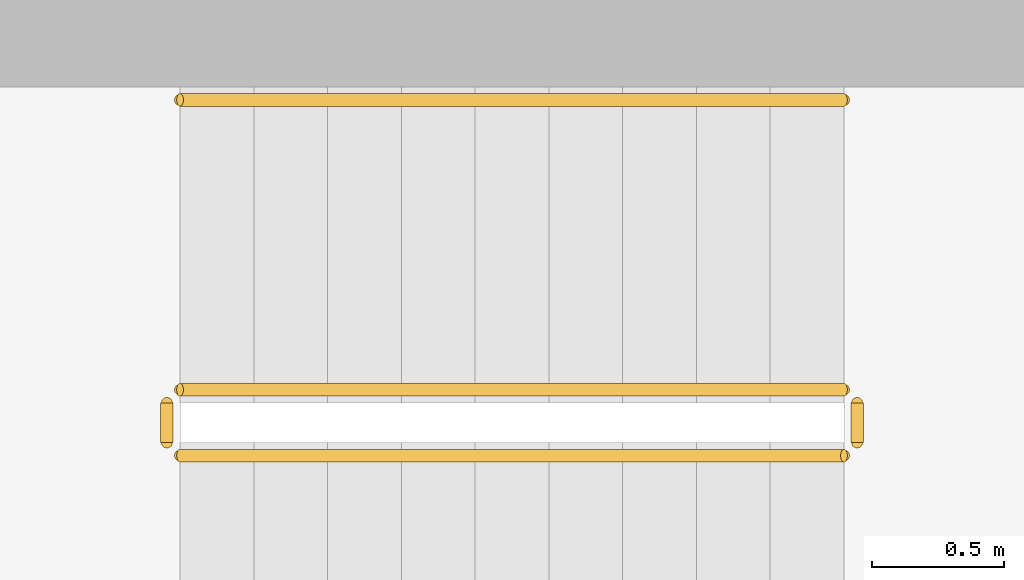
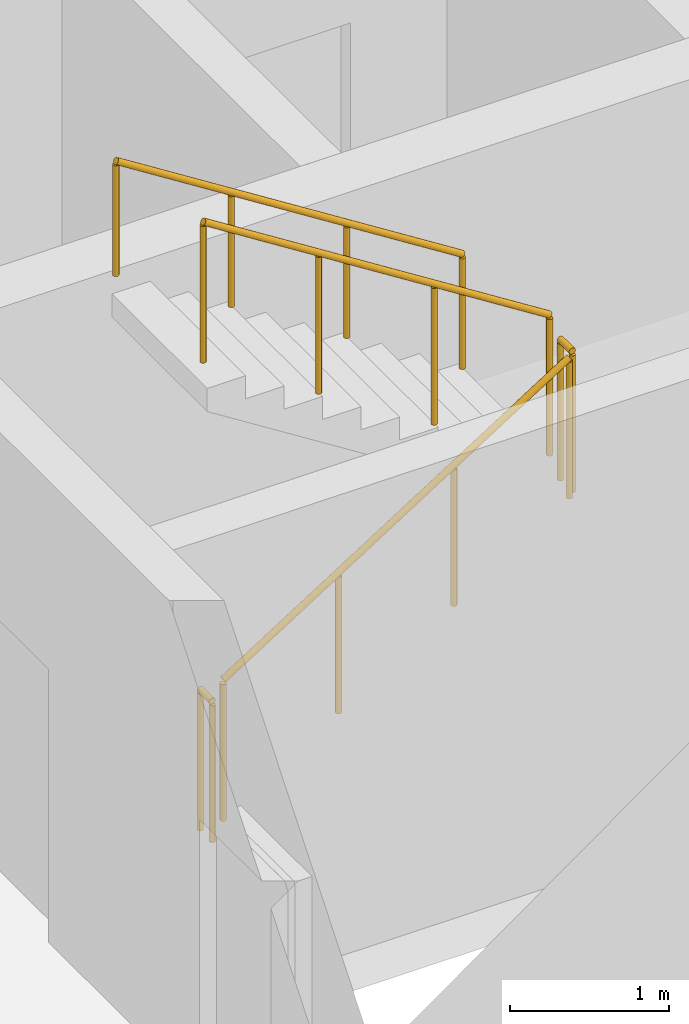
# One storey, part 15 of 17: 5 railings.
"""IFC4 building model written with IfcOpenShell, lengths in metres."""

import ifcopenshell
import ifcopenshell.guid

model = None  # the IFC model being written
_history = None  # IfcOwnerHistory: only IFC2X3 demands one
_inside = {}  # id of a spatial element -> (the spatial element, [elements in it])
_under = {}  # id of a project, library or spatial element -> (it, [spatial elements below it])
_declared = {}  # id of a project -> (the project, [libraries it declares])
_typed = {}  # id of a type object -> (the type object, [elements of that type])
_made_of = {}  # id of a material, layer set ... -> (it, [elements and type objects made of it])


def new_model(schema):
    """Start an empty IFC model of exactly this schema.

    Asked for "IFC4X3", IfcOpenShell would pick the latest addendum, in which some entities
    have other attributes; the version numbers below select the first issue.
    IFC2X3 requires an IfcOwnerHistory on every rooted entity: one is made here for all.
    """
    global model, _history
    if schema == "IFC4X3":
        model = ifcopenshell.file(schema_version=(4, 3, 0, 0))
    else:
        model = ifcopenshell.file(schema=schema)
    _inside.clear()
    _under.clear()
    _declared.clear()
    _typed.clear()
    _made_of.clear()
    _history = None
    if model.schema == "IFC2X3":
        org = make("IfcOrganization", Name="unknown")
        user = make(
            "IfcPersonAndOrganization",
            ThePerson=make("IfcPerson", FamilyName="unknown"),
            TheOrganization=org,
        )
        app = make(
            "IfcApplication",
            ApplicationDeveloper=org,
            Version="unknown",
            ApplicationFullName="unknown",
            ApplicationIdentifier="unknown",
        )
        _history = make(
            "IfcOwnerHistory",
            OwningUser=user,
            OwningApplication=app,
            ChangeAction="ADDED",
            CreationDate=0,
        )
    return model


def make(cls, **values):
    """One entity of the class cls with the attributes given. An attribute that is None is left unset."""
    return model.create_entity(
        cls, **{name: value for name, value in values.items() if value is not None}
    )


def rooted(cls, **values):
    """An entity with a GlobalId (a new one), such as an element, a storey or a relation."""
    return make(cls, GlobalId=ifcopenshell.guid.new(), OwnerHistory=_history, **values)


def si_unit(unit_type, name, prefix=None):
    """IfcSIUnit, for example si_unit("LENGTHUNIT", "METRE", prefix="MILLI")."""
    return make("IfcSIUnit", UnitType=unit_type, Prefix=prefix, Name=name)


def assignment(units):
    """IfcUnitAssignment: the units of a project."""
    return None if units is None else make("IfcUnitAssignment", Units=units)


def point(xyz):
    """IfcCartesianPoint."""
    return None if xyz is None else make("IfcCartesianPoint", Coordinates=xyz)


def direction(xyz):
    """IfcDirection."""
    return None if xyz is None else make("IfcDirection", DirectionRatios=xyz)


def frame(location, z_axis=None, x_axis=None):
    """IfcAxis2Placement3D, a coordinate frame: its origin and axes. An axis left out is left unset."""
    return make(
        "IfcAxis2Placement3D",
        Location=point(location),
        Axis=direction(z_axis),
        RefDirection=direction(x_axis),
    )


def frame_2d(location, x_axis=None):
    """IfcAxis2Placement2D, a coordinate frame in the plane: its origin and x axis."""
    return make(
        "IfcAxis2Placement2D", Location=point(location), RefDirection=direction(x_axis)
    )


def origin():
    """The frame at (0, 0, 0) with its axes left unset."""
    return frame((0.0, 0.0, 0.0))


def origin_2d():
    """The frame at (0, 0) in the plane with its x axis left unset."""
    return frame_2d((0.0, 0.0))


def place(relative_to, where):
    """IfcLocalPlacement: puts the frame where relative to a parent placement (None: the world)."""
    return make(
        "IfcLocalPlacement", PlacementRelTo=relative_to, RelativePlacement=where
    )


def context(
    kind, dimensions, precision=None, world=None, true_north=None, identifier=None
):
    """IfcGeometricRepresentationContext, for example the 3D "Model" context."""
    return make(
        "IfcGeometricRepresentationContext",
        ContextIdentifier=identifier,
        ContextType=kind,
        CoordinateSpaceDimension=dimensions,
        Precision=precision,
        WorldCoordinateSystem=world,
        TrueNorth=true_north,
    )


def subcontext(parent, identifier, kind, view, scale=None):
    """IfcGeometricRepresentationSubContext, for example "Body" below "Model"."""
    return make(
        "IfcGeometricRepresentationSubContext",
        ContextIdentifier=identifier,
        ContextType=kind,
        ParentContext=parent,
        TargetScale=scale,
        TargetView=view,
    )


def project(units=None, contexts=None):
    """IfcProject with its units and contexts."""
    return rooted(
        "IfcProject",
        Name="project",
        RepresentationContexts=contexts,
        UnitsInContext=assignment(units),
    )


def spatial(cls, under=None, at=None, **own):
    """A site, building, storey or space (cls), placed at a placement, below another one or the project."""
    s = rooted(cls, ObjectPlacement=at, **own)
    if under is not None:
        _under.setdefault(under.id(), (under, []))[1].append(s)
    return s


def profile(cls, at=None, kind="AREA", **sizes):
    """A parametric profile (cls). Its sizes go by their IFC names, for example OverallWidth=200.0."""
    return make(cls, ProfileType=kind, Position=at, **sizes)


def circle(**sizes):
    """IfcCircleProfileDef."""
    return profile("IfcCircleProfileDef", **sizes)


def extrude(swept, where, along, depth):
    """IfcExtrudedAreaSolid: the profile swept, set in the frame where, extruded along a direction by depth."""
    return make(
        "IfcExtrudedAreaSolid",
        SweptArea=swept,
        Position=where,
        ExtrudedDirection=direction(along),
        Depth=depth,
    )


def shape(context_of_items, identifier, shape_type, items):
    """IfcShapeRepresentation: the items that make up one representation, for example the "Body"."""
    return make(
        "IfcShapeRepresentation",
        ContextOfItems=context_of_items,
        RepresentationIdentifier=identifier,
        RepresentationType=shape_type,
        Items=items,
    )


def material(Name=None, Category=None):
    """IfcMaterial."""
    return make("IfcMaterial", Name=Name, Category=Category)


def made_of(thing, what):
    """Note that an element or type object is made of a material, layer set ...; save() writes the relation."""
    if what is not None:
        _made_of.setdefault(what.id(), (what, []))[1].append(thing)
    return thing


def type_object(cls, material=None, **own):
    """A type object (cls), such as IfcWallType, which elements share."""
    return made_of(rooted(cls, **own), material)


def element(
    cls,
    number,
    at=None,
    inside=None,
    cuts=None,
    type_object=None,
    material=None,
    context=None,
    identifier="Body",
    shape_type=None,
    held_by="IfcProductDefinitionShape",
    body=None,
    shapes=None,
    **own,
):
    """One element of the class cls, such as IfcWall. Its Tag is "e" and its number.

    at: its placement. inside: the storey or other place that contains it. cuts: it is an
    opening in that element (IfcRelVoidsElement). A single representation is given by context,
    identifier, shape_type and body (its items); several are given by shapes. held_by: the class
    of the entity that holds the representations. save() writes the other relations.
    """
    e = rooted(cls, Tag="e%d" % number, ObjectPlacement=at, **own)
    if body is not None:
        shapes = [shape(context, identifier, shape_type, body)]
    if shapes is not None:
        e.Representation = make(held_by, Representations=shapes)
    if inside is not None:
        _inside.setdefault(inside.id(), (inside, []))[1].append(e)
    if cuts is not None:
        rooted(
            "IfcRelVoidsElement", RelatingBuildingElement=cuts, RelatedOpeningElement=e
        )
    if type_object is not None:
        _typed.setdefault(type_object.id(), (type_object, []))[1].append(e)
    return made_of(e, material)


def aggregate(whole, parts):
    """IfcRelAggregates: a whole, such as a stair, and the parts it consists of."""
    return rooted("IfcRelAggregates", RelatingObject=whole, RelatedObjects=parts)


def save(model, path):
    """Write the relations noted so far, then the file.

    IfcRelAggregates (storeys below a building ...), IfcRelContainedInSpatialStructure (elements
    in a storey), IfcRelDefinesByType, IfcRelAssociatesMaterial and IfcRelDeclares: one each for
    every whole, place, type object, material and project.
    """
    for whole, parts in _under.values():
        aggregate(whole, parts)
    for where, things in _inside.values():
        rooted(
            "IfcRelContainedInSpatialStructure",
            RelatedElements=things,
            RelatingStructure=where,
        )
    for kind, things in _typed.values():
        rooted("IfcRelDefinesByType", RelatedObjects=things, RelatingType=kind)
    for what, things in _made_of.values():
        rooted("IfcRelAssociatesMaterial", RelatedObjects=things, RelatingMaterial=what)
    for by, libraries in _declared.values():
        rooted("IfcRelDeclares", RelatingContext=by, RelatedDefinitions=libraries)
    model.write(path)


model = new_model("IFC4")

# Units and contexts
model_context = context("Model", 3, precision=1e-05, world=origin(), true_north=direction((0.0, 1.0)))
body_context = subcontext(model_context, "Body", "Model", "MODEL_VIEW")
ifc_project = project(units=[si_unit("LENGTHUNIT", "METRE"), si_unit("AREAUNIT", "SQUARE_METRE"), si_unit("VOLUMEUNIT", "CUBIC_METRE"), si_unit("PLANEANGLEUNIT", "RADIAN"), si_unit("MASSUNIT", "GRAM", prefix="KILO")], contexts=[model_context])

# Site, building, storey
site_placement = place(None, origin())
site = spatial("IfcSite", under=ifc_project, at=site_placement, CompositionType="ELEMENT")
building_placement = place(site_placement, origin())
building = spatial("IfcBuilding", under=site, at=building_placement, Name="Ostrand Prow Hotel Tower", CompositionType="ELEMENT")
storey_placement = place(building_placement, frame((0.0, 0.0, 144.39990234375)))
storey = spatial("IfcBuildingStorey", under=building, at=storey_placement, Name="L35", CompositionType="ELEMENT", Elevation=144.39990234375)

# Railings
ifc_material_1 = material(Name="Painted steel", Category="steel")
railing_type_1 = type_object("IfcRailingType", Name="Stair guard 1100", PredefinedType="GUARDRAIL", material=ifc_material_1)
railing_1_placement = place(storey_placement, frame((57.199951171875, -11.75, 0.177490234375)))
element("IfcRailing", 1, at=railing_1_placement, inside=storey, type_object=railing_type_1, Name="L35 ST2C stair guard 1", PredefinedType="GUARDRAIL", context=body_context, shape_type="SweptSolid", body=[
    extrude(circle(Radius=0.02392578125, at=origin_2d()), frame((0.0, 0.0, 1.076171875), z_axis=(0.84456994832, 0.0, 0.535445237532), x_axis=(0.0, 1.0, 0.0)), (0.0, 0.0, 1.0), 2.98388671875),
    extrude(circle(Radius=0.02099609375, at=origin_2d()), origin(), (0.0, 0.0, 1.0), 1.052001953125),
    extrude(circle(Radius=0.02099609375, at=origin_2d()), frame((0.840087890625, 0.0, 0.532470703125)), (0.0, 0.0, 1.0), 1.052001953125),
    extrude(circle(Radius=0.02099609375, at=origin_2d()), frame((1.679931640625, 0.0, 1.065185546875)), (0.0, 0.0, 1.0), 1.052001953125),
    extrude(circle(Radius=0.02099609375, at=origin_2d()), frame((2.52001953125, 0.0, 1.59765625)), (0.0, 0.0, 1.0), 1.052001953125),
])
railing_2_placement = place(storey_placement, frame((59.77001953125, -11.699951171875, 1.775146484375)))
element("IfcRailing", 2, at=railing_2_placement, inside=storey, type_object=railing_type_1, Name="L35 ST2C stair guard 2", PredefinedType="GUARDRAIL", context=body_context, shape_type="SweptSolid", body=[
    extrude(circle(Radius=0.02392578125, at=origin_2d()), frame((0.0, 0.0, 1.076171875), z_axis=(0.0, 1.0, 0.0), x_axis=(-1.0, 0.0, 0.0)), (0.0, 0.0, 1.0), 0.14990234375),
    extrude(circle(Radius=0.02099609375, at=origin_2d()), origin(), (0.0, 0.0, 1.0), 1.052001953125),
    extrude(circle(Radius=0.02099609375, at=origin_2d()), frame((0.0, 0.14990234375, 0.0)), (0.0, 0.0, 1.0), 1.052001953125),
])
railing_3_placement = place(storey_placement, frame((59.719970703125, -11.5, 1.95263671875)))
element("IfcRailing", 3, at=railing_3_placement, inside=storey, type_object=railing_type_1, Name="L35 ST2C stair guard 3", PredefinedType="GUARDRAIL", context=body_context, shape_type="SweptSolid", body=[
    extrude(circle(Radius=0.02392578125, at=origin_2d()), frame((0.0, 0.0, 1.076171875), z_axis=(-0.84460694969, 0.0, 0.535386869969), x_axis=(0.0, -1.0, 0.0)), (0.0, 0.0, 1.0), 2.983642578125),
    extrude(circle(Radius=0.02099609375, at=origin_2d()), origin(), (0.0, 0.0, 1.0), 1.052001953125),
    extrude(circle(Radius=0.02099609375, at=origin_2d()), frame((-0.840087890625, 0.0, 0.532470703125)), (0.0, 0.0, 1.0), 1.052001953125),
    extrude(circle(Radius=0.02099609375, at=origin_2d()), frame((-1.679931640625, 0.0, 1.06494140625)), (0.0, 0.0, 1.0), 1.052001953125),
    extrude(circle(Radius=0.02099609375, at=origin_2d()), frame((-2.52001953125, 0.0, 1.597412109375)), (0.0, 0.0, 1.0), 1.052001953125),
])
railing_4_placement = place(storey_placement, frame((57.14990234375, -11.699951171875, 0.0)))
element("IfcRailing", 4, at=railing_4_placement, inside=storey, type_object=railing_type_1, Name="L35 ST2C stair guard 4", PredefinedType="GUARDRAIL", context=body_context, shape_type="SweptSolid", body=[
    extrude(circle(Radius=0.02392578125, at=origin_2d()), frame((0.0, 0.0, 1.076171875), z_axis=(0.0, 1.0, 0.0), x_axis=(-1.0, 0.0, 0.0)), (0.0, 0.0, 1.0), 0.14990234375),
    extrude(circle(Radius=0.02099609375, at=origin_2d()), origin(), (0.0, 0.0, 1.0), 1.052001953125),
    extrude(circle(Radius=0.02099609375, at=origin_2d()), frame((0.0, 0.14990234375, 0.0)), (0.0, 0.0, 1.0), 1.052001953125),
])
ifc_material_2 = material(Name="Stainless steel", Category="steel")
railing_type_2 = type_object("IfcRailingType", Name="Stair handrail 900", PredefinedType="HANDRAIL", material=ifc_material_2)
railing_5_placement = place(storey_placement, frame((59.719970703125, -10.39990234375, 1.95263671875)))
element("IfcRailing", 5, at=railing_5_placement, inside=storey, type_object=railing_type_2, Name="L35 ST2C stair handrail 2", PredefinedType="HANDRAIL", context=body_context, shape_type="SweptSolid", body=[
    extrude(circle(Radius=0.02392578125, at=origin_2d()), frame((0.0, 0.0, 0.8759765625), z_axis=(-0.84460694969, 0.0, 0.535386869969), x_axis=(0.0, -1.0, 0.0)), (0.0, 0.0, 1.0), 2.983642578125),
    extrude(circle(Radius=0.02099609375, at=origin_2d()), origin(), (0.0, 0.0, 1.0), 0.851806640625),
    extrude(circle(Radius=0.02099609375, at=origin_2d()), frame((-0.840087890625, 0.0, 0.532470703125)), (0.0, 0.0, 1.0), 0.851806640625),
    extrude(circle(Radius=0.02099609375, at=origin_2d()), frame((-1.679931640625, 0.0, 1.06494140625)), (0.0, 0.0, 1.0), 0.851806640625),
    extrude(circle(Radius=0.02099609375, at=origin_2d()), frame((-2.52001953125, 0.0, 1.597412109375)), (0.0, 0.0, 1.0), 0.851806640625),
])

save(model, "model.ifc")
